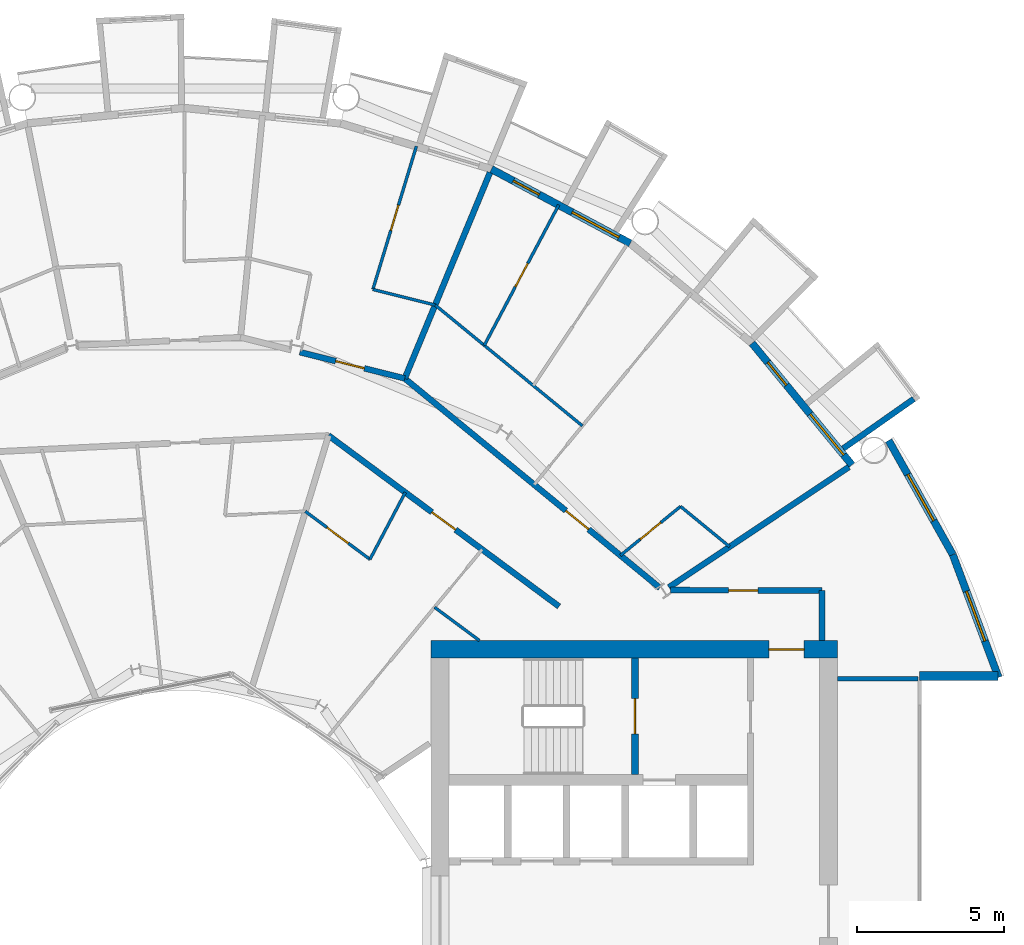
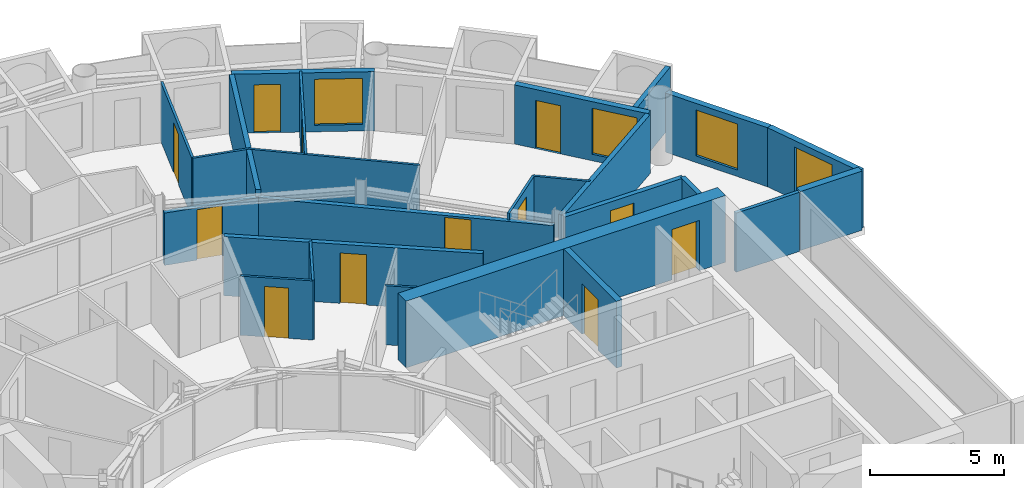
# One storey, part 22 of 27: 25 walls, 12 doors, 4 windows, 16 openings.
"""IFC4 building model written with IfcOpenShell, lengths in metres."""

from ifc_helpers import new_model, si_unit, direction, frame, frame_2d, origin, place, context, subcontext, project, spatial, rectangle, extrude, material, layer, layer_set, type_object, element, fill, save


model = new_model("IFC4")

# Units and contexts
model_context = context("Model", 3, precision=1e-05, world=origin(), true_north=direction((0.0, 1.0)))
body_context = subcontext(model_context, "Body", "Model", "MODEL_VIEW")
ifc_project = project(units=[si_unit("LENGTHUNIT", "METRE"), si_unit("AREAUNIT", "SQUARE_METRE"), si_unit("VOLUMEUNIT", "CUBIC_METRE"), si_unit("PLANEANGLEUNIT", "RADIAN"), si_unit("MASSUNIT", "GRAM", prefix="KILO")], contexts=[model_context])

# Site, building, storey
site_placement = place(None, origin())
site = spatial("IfcSite", under=ifc_project, at=site_placement, CompositionType="ELEMENT")
building_placement = place(site_placement, origin())
building = spatial("IfcBuilding", under=site, at=building_placement, Name="Maasbend Ring Residences", CompositionType="ELEMENT")
storey_placement = place(building_placement, frame((0.0, 0.0, 111.64990234375)))
storey = spatial("IfcBuildingStorey", under=building, at=storey_placement, Name="L31", CompositionType="ELEMENT", Elevation=111.64990234375)

# Wall, opening, door
ifc_material_1 = material(Name="Concrete C60/75", Category="concrete")
ifc_layer_1 = layer(ifc_material_1, 0.25)
ifc_layer_set_1 = layer_set([ifc_layer_1], Name="Concrete C60/75")
wall_type_1 = type_object("IfcWallType", Name="CORE WALL 250 C60/75", PredefinedType="SHEAR", material=ifc_layer_set_1)
wall_1_placement = place(storey_placement, frame((15.324951171875, 4.64990234375, 0.0), z_axis=(0.0, 0.0, 1.0), x_axis=(0.0, 1.0, 0.0)))
wall_1 = element("IfcWall", 1, at=wall_1_placement, inside=storey, type_object=wall_type_1, Name="L31 core E wall STEN", PredefinedType="SHEAR", context=body_context, shape_type="SweptSolid", body=[
    extrude(rectangle(XDim=3.9501953125, YDim=0.25, at=frame_2d((1.97509765625, 0.0))), origin(), (0.0, 0.0, 1.0), 3.050048828125),
])
opening_1_placement = place(wall_1_placement, frame((1.375, 0.0, 0.0)))
opening_1 = element("IfcOpeningElement", 2, at=opening_1_placement, cuts=wall_1, Name="Opening D-E3110", PredefinedType="OPENING", context=body_context, shape_type="SweptSolid", body=[
    extrude(rectangle(XDim=1.199951171875, YDim=2.300048828125, at=frame_2d((0.60009765625, 1.14990234375))), frame((0.0, 0.135009765625, 0.0), z_axis=(0.0, -1.0, 0.0), x_axis=(1.0, 0.0, 0.0)), (0.0, 0.0, 1.0), 0.27001953125),
])
ifc_material_2 = material(Name="Steel, powder coated", Category="steel")
door_type_1 = type_object("IfcDoorType", Name="STAIR DOOR 1200 X 2300 FD60", OperationType="NOTDEFINED", PredefinedType="DOOR", material=ifc_material_2)
door_1_placement = place(opening_1_placement, origin())
door_1 = element("IfcDoor", 3, at=door_1_placement, inside=storey, type_object=door_type_1, Name="Stair door ST-E L31", OperationType="SINGLE_SWING_LEFT", OverallHeight=2.300048828125, OverallWidth=1.199951171875, PredefinedType="DOOR", context=body_context, shape_type="SweptSolid", body=[
    extrude(rectangle(XDim=1.199951171875, YDim=2.300048828125, at=frame_2d((0.60009765625, 1.14990234375))), frame((0.0, 0.02490234375, 0.0), z_axis=(0.0, -1.0, 0.0), x_axis=(1.0, 0.0, 0.0)), (0.0, 0.0, 1.0), 0.050048828125),
])
fill(opening_1, door_1)

ifc_material_3 = material(Name="Concrete C60/75", Category="concrete")
ifc_layer_2 = layer(ifc_material_3, 0.60009765625)
ifc_layer_set_2 = layer_set([ifc_layer_2], Name="Concrete C60/75")
wall_type_2 = type_object("IfcWallType", Name="CORE WALL 600 C60/75", PredefinedType="SHEAR", material=ifc_layer_set_2)
wall_2_placement = place(storey_placement, frame((22.199951171875, 8.89990234375, 0.0), z_axis=(0.0, 0.0, 1.0), x_axis=(-1.0, 0.0, 0.0)))
wall_2 = element("IfcWall", 4, at=wall_2_placement, inside=storey, type_object=wall_type_2, Name="L31 core E wall PN", PredefinedType="SHEAR", context=body_context, shape_type="SweptSolid", body=[
    extrude(rectangle(XDim=13.800048828125, YDim=0.60009765625, at=frame_2d((6.89990234375, 0.0))), origin(), (0.0, 0.0, 1.0), 3.050048828125),
])
opening_2_placement = place(wall_2_placement, frame((1.125, 0.0, 0.0)))
opening_2 = element("IfcOpeningElement", 5, at=opening_2_placement, cuts=wall_2, Name="Opening D-E3114", PredefinedType="OPENING", context=body_context, shape_type="SweptSolid", body=[
    extrude(rectangle(XDim=1.199951171875, YDim=2.300048828125, at=frame_2d((0.60009765625, 1.14990234375))), frame((0.0, 0.31005859375, 0.0), z_axis=(0.0, -1.0, 0.0), x_axis=(1.0, 0.0, 0.0)), (0.0, 0.0, 1.0), 0.6201171875),
])
ifc_material_4 = material(Name="Steel, powder coated", Category="steel")
door_type_2 = type_object("IfcDoorType", Name="CORRIDOR DOOR 1200 X 2300 FD30S", OperationType="NOTDEFINED", PredefinedType="DOOR", material=ifc_material_4)
door_2_placement = place(opening_2_placement, origin())
door_2 = element("IfcDoor", 6, at=door_2_placement, inside=storey, type_object=door_type_2, Name="Corridor door L31", OperationType="SINGLE_SWING_RIGHT", OverallHeight=2.300048828125, OverallWidth=1.199951171875, PredefinedType="DOOR", context=body_context, shape_type="SweptSolid", body=[
    extrude(rectangle(XDim=1.199951171875, YDim=2.300048828125, at=frame_2d((0.60009765625, 1.14990234375))), frame((0.0, 0.02490234375, 0.0), z_axis=(0.0, -1.0, 0.0), x_axis=(1.0, 0.0, 0.0)), (0.0, 0.0, 1.0), 0.050048828125),
])
fill(opening_2, door_2)

# Wall
ifc_material_5 = material(Name="Concrete C30/37", Category="concrete")
ifc_layer_3 = layer(ifc_material_5, 0.199951171875)
ifc_layer_set_3 = layer_set([ifc_layer_3], Name="Concrete C30/37")
wall_type_3 = type_object("IfcWallType", Name="CORRIDOR WALL 200 CONCRETE", PredefinedType="PARTITIONING", material=ifc_layer_set_3)
wall_3_placement = place(storey_placement, frame((21.675048828125, 9.199951171875, 0.0), z_axis=(0.0, 0.0, 1.0), x_axis=(0.0, 1.0, 0.0)))
element("IfcWall", 7, at=wall_3_placement, inside=storey, type_object=wall_type_3, Name="U-L31-w004", PredefinedType="PARTITIONING", context=body_context, shape_type="SweptSolid", body=[
    extrude(rectangle(XDim=1.699951171875, YDim=0.199951171875, at=frame_2d((0.85009765625, 0.0))), origin(), (0.0, 0.0, 1.0), 2.7001953125),
])

# Wall, opening, door
wall_4_placement = place(storey_placement, frame((16.5400390625, 10.9130859375, 0.0), z_axis=(0.0, 0.0, 1.0), x_axis=(0.99999670426, -0.002567385634, 0.0)))
wall_4 = element("IfcWall", 8, at=wall_4_placement, inside=storey, type_object=wall_type_3, Name="U-L31-w089", PredefinedType="PARTITIONING", context=body_context, shape_type="SweptSolid", body=[
    extrude(rectangle(XDim=5.135009765625, YDim=0.199951171875, at=frame_2d((2.5673828125, 0.0))), origin(), (0.0, 0.0, 1.0), 2.7001953125),
])
opening_3_placement = place(wall_4_placement, frame((1.965087890625, 0.0, 0.0)))
opening_3 = element("IfcOpeningElement", 9, at=opening_3_placement, cuts=wall_4, Name="Opening D-3170", PredefinedType="OPENING", context=body_context, shape_type="SweptSolid", body=[
    extrude(rectangle(XDim=1.0, YDim=2.300048828125, at=frame_2d((0.5, 1.14990234375))), frame((0.0, 0.10986328125, 0.0), z_axis=(0.0, -1.0, 0.0), x_axis=(1.0, 0.0, 0.0)), (0.0, 0.0, 1.0), 0.219970703125),
])
ifc_material_6 = material(Name="Timber, painted", Category="wood")
door_type_3 = type_object("IfcDoorType", Name="ROOM DOOR 1000 X 2300", OperationType="NOTDEFINED", PredefinedType="DOOR", material=ifc_material_6)
door_3_placement = place(opening_3_placement, origin())
door_3 = element("IfcDoor", 10, at=door_3_placement, inside=storey, type_object=door_type_3, Name="D-3170", OperationType="SINGLE_SWING_LEFT", OverallHeight=2.300048828125, OverallWidth=1.0, PredefinedType="DOOR", context=body_context, shape_type="SweptSolid", body=[
    extrude(rectangle(XDim=1.0, YDim=2.300048828125, at=frame_2d((0.5, 1.14990234375))), frame((0.0, 0.02490234375, 0.0), z_axis=(0.0, -1.0, 0.0), x_axis=(1.0, 0.0, 0.0)), (0.0, 0.0, 1.0), 0.050048828125),
])
fill(opening_3, door_3)

wall_5_placement = place(storey_placement, frame((4.906005859375, 16.172119140625, 0.0), z_axis=(0.0, 0.0, 1.0), x_axis=(0.803191461888, -0.595720971219, 0.0)))
wall_5 = element("IfcWall", 11, at=wall_5_placement, inside=storey, type_object=wall_type_3, Name="U-L31-w097", PredefinedType="PARTITIONING", context=body_context, shape_type="SweptSolid", body=[
    extrude(rectangle(XDim=9.760009765625, YDim=0.199951171875, at=frame_2d((4.8798828125, 0.0))), origin(), (0.0, 0.0, 1.0), 2.7001953125),
])
opening_4_placement = place(wall_5_placement, frame((4.3798828125, 0.0, 0.0)))
opening_4 = element("IfcOpeningElement", 12, at=opening_4_placement, cuts=wall_5, Name="Opening D-3121", PredefinedType="OPENING", context=body_context, shape_type="SweptSolid", body=[
    extrude(rectangle(XDim=1.0, YDim=2.300048828125, at=frame_2d((0.5, 1.14990234375))), frame((0.0, 0.10986328125, 0.0), z_axis=(0.0, -1.0, 0.0), x_axis=(1.0, 0.0, 0.0)), (0.0, 0.0, 1.0), 0.219970703125),
])
ifc_material_7 = material(Name="Timber, fire-rated, painted", Category="wood")
door_type_4 = type_object("IfcDoorType", Name="FLAT ENTRANCE DOOR 1000 X 2300 FIRE-RATED", OperationType="NOTDEFINED", PredefinedType="DOOR", material=ifc_material_7)
door_4_placement = place(opening_4_placement, origin())
door_4 = element("IfcDoor", 13, at=door_4_placement, inside=storey, type_object=door_type_4, Name="D-3121", OperationType="SINGLE_SWING_LEFT", OverallHeight=2.300048828125, OverallWidth=1.0, PredefinedType="DOOR", context=body_context, shape_type="SweptSolid", body=[
    extrude(rectangle(XDim=1.0, YDim=2.300048828125, at=frame_2d((0.5, 1.14990234375))), frame((0.0, 0.02490234375, 0.0), z_axis=(0.0, -1.0, 0.0), x_axis=(1.0, 0.0, 0.0)), (0.0, 0.0, 1.0), 0.050048828125),
])
fill(opening_4, door_4)

wall_6_placement = place(storey_placement, frame((7.5, 18.10791015625, 0.0), z_axis=(0.0, 0.0, 1.0), x_axis=(0.773049018445, -0.634346289562, 0.0)))
wall_6 = element("IfcWall", 14, at=wall_6_placement, inside=storey, type_object=wall_type_3, Name="U-L31-w099", PredefinedType="PARTITIONING", context=body_context, shape_type="SweptSolid", body=[
    extrude(rectangle(XDim=11.21923828125, YDim=0.199951171875, at=frame_2d((5.609619140625, 0.0))), origin(), (0.0, 0.0, 1.0), 2.39013671875),
])
opening_5_placement = place(wall_6_placement, frame((7.0849609375, 0.0, 0.0)))
opening_5 = element("IfcOpeningElement", 15, at=opening_5_placement, cuts=wall_6, Name="Opening D-3101", PredefinedType="OPENING", context=body_context, shape_type="SweptSolid", body=[
    extrude(rectangle(XDim=1.0, YDim=2.300048828125, at=frame_2d((0.5, 1.14990234375))), frame((0.0, 0.10986328125, 0.0), z_axis=(0.0, -1.0, 0.0), x_axis=(1.0, 0.0, 0.0)), (0.0, 0.0, 1.0), 0.219970703125),
])
door_5_placement = place(opening_5_placement, origin())
door_5 = element("IfcDoor", 16, at=door_5_placement, inside=storey, type_object=door_type_4, Name="D-3101", OperationType="SINGLE_SWING_RIGHT", OverallHeight=2.300048828125, OverallWidth=1.0, PredefinedType="DOOR", context=body_context, shape_type="SweptSolid", body=[
    extrude(rectangle(XDim=1.0, YDim=2.300048828125, at=frame_2d((0.5, 1.14990234375))), frame((0.0, 0.02490234375, 0.0), z_axis=(0.0, -1.0, 0.0), x_axis=(1.0, 0.0, 0.0)), (0.0, 0.0, 1.0), 0.050048828125),
])
fill(opening_5, door_5)

wall_7_placement = place(storey_placement, frame((3.93603515625, 19.0009765625, 0.0), z_axis=(0.0, 0.0, 1.0), x_axis=(0.970025155677, -0.243004521262, 0.0)))
wall_7 = element("IfcWall", 17, at=wall_7_placement, inside=storey, type_object=wall_type_3, Name="U-L31-w104", PredefinedType="PARTITIONING", context=body_context, shape_type="SweptSolid", body=[
    extrude(rectangle(XDim=3.675048828125, YDim=0.199951171875, at=frame_2d((1.83740234375, 0.0))), origin(), (0.0, 0.0, 1.0), 2.39013671875),
])
opening_6_placement = place(wall_7_placement, frame((1.258056640625, 0.0, 0.0)))
opening_6 = element("IfcOpeningElement", 18, at=opening_6_placement, cuts=wall_7, Name="Opening D-3107", PredefinedType="OPENING", context=body_context, shape_type="SweptSolid", body=[
    extrude(rectangle(XDim=1.0, YDim=2.300048828125, at=frame_2d((0.5, 1.14990234375))), frame((0.0, 0.10986328125, 0.0), z_axis=(0.0, -1.0, 0.0), x_axis=(1.0, 0.0, 0.0)), (0.0, 0.0, 1.0), 0.219970703125),
])
door_6_placement = place(opening_6_placement, origin())
door_6 = element("IfcDoor", 19, at=door_6_placement, inside=storey, type_object=door_type_4, Name="D-3107", OperationType="SINGLE_SWING_LEFT", OverallHeight=2.300048828125, OverallWidth=1.0, PredefinedType="DOOR", context=body_context, shape_type="SweptSolid", body=[
    extrude(rectangle(XDim=1.0, YDim=2.300048828125, at=frame_2d((0.5, 1.14990234375))), frame((0.0, 0.02490234375, 0.0), z_axis=(0.0, -1.0, 0.0), x_axis=(1.0, 0.0, 0.0)), (0.0, 0.0, 1.0), 0.050048828125),
])
fill(opening_6, door_6)

# Wall
ifc_material_8 = material(Name="Pale anodised aluminium panel", Category="aluminium")
ifc_layer_4 = layer(ifc_material_8, 0.199951171875)
ifc_layer_set_4 = layer_set([ifc_layer_4], Name="EW-BOX")
wall_type_4 = type_object("IfcWallType", Name="EW-BOX", PredefinedType="SOLIDWALL", material=ifc_layer_set_4)
wall_8_placement = place(storey_placement, frame((22.402099609375, 15.72607421875, -0.02978515625), z_axis=(0.0, 0.0, 1.0), x_axis=(0.818275399393, 0.574826383135, 0.0)))
element("IfcWall", 20, at=wall_8_placement, inside=storey, type_object=wall_type_4, Name="Box side wall N01 left", PredefinedType="SOLIDWALL", context=body_context, shape_type="SweptSolid", body=[
    extrude(rectangle(XDim=2.92919921875, YDim=0.199951171875, at=frame_2d((1.464599609375, 0.0))), origin(), (0.0, 0.0, 1.0), 2.72998046875),
])

# Wall, openings, door, window
ifc_material_9 = material(Name="Aluminium clad insulated panel", Category="aluminium")
ifc_layer_5 = layer(ifc_material_9, 0.25)
ifc_layer_set_5 = layer_set([ifc_layer_5], Name="EW-GL")
wall_type_5 = type_object("IfcWallType", Name="EW-GL", PredefinedType="SOLIDWALL", material=ifc_layer_set_5)
wall_9_placement = place(storey_placement, frame((22.698974609375, 15.1669921875, 0.0), z_axis=(0.0, 0.0, 1.0), x_axis=(-0.634382322723, 0.773019449054, 0.0)))
wall_9 = element("IfcWall", 21, at=wall_9_placement, inside=storey, type_object=wall_type_5, Name="External wall N01", PredefinedType="SOLIDWALL", context=body_context, shape_type="SweptSolid", body=[
    extrude(rectangle(XDim=5.351806640625, YDim=0.25, at=frame_2d((2.67578125, 0.0))), origin(), (0.0, 0.0, 1.0), 2.7001953125),
])
opening_7_placement = place(wall_9_placement, frame((0.441162109375, 0.0, 0.300048828125)))
opening_7 = element("IfcOpeningElement", 22, at=opening_7_placement, cuts=wall_9, Name="Opening W-BX", PredefinedType="OPENING", context=body_context, shape_type="SweptSolid", body=[
    extrude(rectangle(XDim=1.800048828125, YDim=2.10009765625, at=frame_2d((0.89990234375, 1.050048828125))), frame((0.0, 0.135009765625, 0.0), z_axis=(0.0, -1.0, 0.0), x_axis=(1.0, 0.0, 0.0)), (0.0, 0.0, 1.0), 0.27001953125),
])
opening_8_placement = place(wall_9_placement, frame((3.510498046875, 0.0, 0.0)))
opening_8 = element("IfcOpeningElement", 23, at=opening_8_placement, cuts=wall_9, Name="Opening D-LG", PredefinedType="OPENING", context=body_context, shape_type="SweptSolid", body=[
    extrude(rectangle(XDim=1.0, YDim=2.199951171875, at=frame_2d((0.5, 1.10009765625))), frame((0.0, 0.135009765625, 0.0), z_axis=(0.0, -1.0, 0.0), x_axis=(1.0, 0.0, 0.0)), (0.0, 0.0, 1.0), 0.27001953125),
])
ifc_material_10 = material(Name="Aluminium and clear glass", Category="aluminium")
door_type_5 = type_object("IfcDoorType", Name="D-LG", OperationType="SINGLE_SWING_LEFT", PredefinedType="DOOR", material=ifc_material_10)
door_7_placement = place(opening_8_placement, origin())
door_7 = element("IfcDoor", 24, at=door_7_placement, inside=storey, type_object=door_type_5, Name="Loggia door N02", OperationType="SINGLE_SWING_LEFT", OverallHeight=2.199951171875, OverallWidth=1.0, PredefinedType="DOOR", context=body_context, shape_type="SweptSolid", body=[
    extrude(rectangle(XDim=1.0, YDim=2.199951171875, at=frame_2d((0.5, 1.10009765625))), frame((0.0, 0.02490234375, 0.0), z_axis=(0.0, -1.0, 0.0), x_axis=(1.0, 0.0, 0.0)), (0.0, 0.0, 1.0), 0.050048828125),
])
fill(opening_8, door_7)
ifc_material_11 = material(Name="Aluminium and clear glass", Category="aluminium")
window_type = type_object("IfcWindowType", Name="W-BX", PartitioningType="DOUBLE_PANEL_VERTICAL", PredefinedType="WINDOW", material=ifc_material_11)
window_1_placement = place(opening_7_placement, origin())
window_1 = element("IfcWindow", 25, at=window_1_placement, inside=storey, type_object=window_type, Name="Window N01 room to box", OverallHeight=2.10009765625, OverallWidth=1.800048828125, PartitioningType="SINGLE_PANEL", PredefinedType="WINDOW", context=body_context, shape_type="SweptSolid", body=[
    extrude(rectangle(XDim=1.800048828125, YDim=2.10009765625, at=frame_2d((0.89990234375, 1.050048828125))), frame((0.0, 0.030029296875, 0.0), z_axis=(0.0, -1.0, 0.0), x_axis=(1.0, 0.0, 0.0)), (0.0, 0.0, 1.0), 0.06005859375),
])
fill(opening_7, window_1)

wall_10_placement = place(storey_placement, frame((15.1669921875, 22.698974609375, 0.0), z_axis=(0.0, 0.0, 1.0), x_axis=(-0.881915646801, 0.471407246368, 0.0)))
wall_10 = element("IfcWall", 26, at=wall_10_placement, inside=storey, type_object=wall_type_5, Name="External wall N03", PredefinedType="SOLIDWALL", context=body_context, shape_type="SweptSolid", body=[
    extrude(rectangle(XDim=5.35205078125, YDim=0.25, at=frame_2d((2.676025390625, 0.0))), origin(), (0.0, 0.0, 1.0), 2.7001953125),
])
opening_9_placement = place(wall_10_placement, frame((0.441162109375, 0.0, 0.300048828125)))
opening_9 = element("IfcOpeningElement", 27, at=opening_9_placement, cuts=wall_10, Name="Opening W-BX", PredefinedType="OPENING", context=body_context, shape_type="SweptSolid", body=[
    extrude(rectangle(XDim=1.800048828125, YDim=2.10009765625, at=frame_2d((0.89990234375, 1.050048828125))), frame((0.0, 0.135009765625, 0.0), z_axis=(0.0, -1.0, 0.0), x_axis=(1.0, 0.0, 0.0)), (0.0, 0.0, 1.0), 0.27001953125),
])
opening_10_placement = place(wall_10_placement, frame((3.510498046875, 0.0, 0.0)))
opening_10 = element("IfcOpeningElement", 28, at=opening_10_placement, cuts=wall_10, Name="Opening D-LG", PredefinedType="OPENING", context=body_context, shape_type="SweptSolid", body=[
    extrude(rectangle(XDim=1.0, YDim=2.199951171875, at=frame_2d((0.5, 1.10009765625))), frame((0.0, 0.135009765625, 0.0), z_axis=(0.0, -1.0, 0.0), x_axis=(1.0, 0.0, 0.0)), (0.0, 0.0, 1.0), 0.27001953125),
])
door_8_placement = place(opening_10_placement, origin())
door_8 = element("IfcDoor", 29, at=door_8_placement, inside=storey, type_object=door_type_5, Name="Loggia door N06", OperationType="SINGLE_SWING_LEFT", OverallHeight=2.199951171875, OverallWidth=1.0, PredefinedType="DOOR", context=body_context, shape_type="SweptSolid", body=[
    extrude(rectangle(XDim=1.0, YDim=2.199951171875, at=frame_2d((0.5, 1.10009765625))), frame((0.0, 0.02490234375, 0.0), z_axis=(0.0, -1.0, 0.0), x_axis=(1.0, 0.0, 0.0)), (0.0, 0.0, 1.0), 0.050048828125),
])
fill(opening_10, door_8)
window_2_placement = place(opening_9_placement, origin())
window_2 = element("IfcWindow", 30, at=window_2_placement, inside=storey, type_object=window_type, Name="Window N05 room to box", OverallHeight=2.10009765625, OverallWidth=1.800048828125, PartitioningType="SINGLE_PANEL", PredefinedType="WINDOW", context=body_context, shape_type="SweptSolid", body=[
    extrude(rectangle(XDim=1.800048828125, YDim=2.10009765625, at=frame_2d((0.89990234375, 1.050048828125))), frame((0.0, 0.030029296875, 0.0), z_axis=(0.0, -1.0, 0.0), x_axis=(1.0, 0.0, 0.0)), (0.0, 0.0, 1.0), 0.06005859375),
])
fill(opening_9, window_2)

# Wall, opening, window
ifc_material_12 = material(Name="Aluminium clad insulated panel", Category="aluminium")
ifc_layer_6 = layer(ifc_material_12, 0.25)
ifc_layer_set_6 = layer_set([ifc_layer_6], Name="EW-HORN")
wall_type_6 = type_object("IfcWallType", Name="EW-HORN", PredefinedType="SOLIDWALL", material=ifc_layer_set_6)
wall_11_placement = place(storey_placement, frame((27.681884765625, 7.945068359375, 0.0), z_axis=(0.0, 0.0, 1.0), x_axis=(-0.349247811493, 0.937030397675, 0.0)))
wall_11 = element("IfcWall", 31, at=wall_11_placement, inside=storey, type_object=wall_type_6, Name="Horn wall 1.1", PredefinedType="SOLIDWALL", context=body_context, shape_type="SweptSolid", body=[
    extrude(rectangle(XDim=4.4521484375, YDim=0.25, at=frame_2d((2.22607421875, 0.0))), origin(), (0.0, 0.0, 1.0), 2.7001953125),
])
opening_11_placement = place(wall_11_placement, frame((1.32666015625, 0.0, 0.300048828125)))
opening_11 = element("IfcOpeningElement", 32, at=opening_11_placement, cuts=wall_11, Name="Opening W-BX", PredefinedType="OPENING", context=body_context, shape_type="SweptSolid", body=[
    extrude(rectangle(XDim=1.800048828125, YDim=2.10009765625, at=frame_2d((0.89990234375, 1.050048828125))), frame((0.0, 0.135009765625, 0.0), z_axis=(0.0, -1.0, 0.0), x_axis=(1.0, 0.0, 0.0)), (0.0, 0.0, 1.0), 0.27001953125),
])
window_3_placement = place(opening_11_placement, origin())
window_3 = element("IfcWindow", 33, at=window_3_placement, inside=storey, type_object=window_type, Name="Horn window 1.1", OverallHeight=2.10009765625, OverallWidth=1.800048828125, PartitioningType="SINGLE_PANEL", PredefinedType="WINDOW", context=body_context, shape_type="SweptSolid", body=[
    extrude(rectangle(XDim=1.800048828125, YDim=2.10009765625, at=frame_2d((0.89990234375, 1.050048828125))), frame((0.0, 0.030029296875, 0.0), z_axis=(0.0, -1.0, 0.0), x_axis=(1.0, 0.0, 0.0)), (0.0, 0.0, 1.0), 0.06005859375),
])
fill(opening_11, window_3)

wall_12_placement = place(storey_placement, frame((26.126953125, 12.116943359375, 0.0), z_axis=(0.0, 0.0, 1.0), x_axis=(-0.489696356642, 0.871893042919, 0.0)))
wall_12 = element("IfcWall", 34, at=wall_12_placement, inside=storey, type_object=wall_type_6, Name="Horn wall 1.2", PredefinedType="SOLIDWALL", context=body_context, shape_type="SweptSolid", body=[
    extrude(rectangle(XDim=4.45361328125, YDim=0.25, at=frame_2d((2.226806640625, 0.0))), origin(), (0.0, 0.0, 1.0), 2.7001953125),
])
opening_12_placement = place(wall_12_placement, frame((1.32666015625, 0.0, 0.300048828125)))
opening_12 = element("IfcOpeningElement", 35, at=opening_12_placement, cuts=wall_12, Name="Opening W-BX", PredefinedType="OPENING", context=body_context, shape_type="SweptSolid", body=[
    extrude(rectangle(XDim=1.800048828125, YDim=2.10009765625, at=frame_2d((0.89990234375, 1.050048828125))), frame((0.0, 0.135009765625, 0.0), z_axis=(0.0, -1.0, 0.0), x_axis=(1.0, 0.0, 0.0)), (0.0, 0.0, 1.0), 0.27001953125),
])
window_4_placement = place(opening_12_placement, origin())
window_4 = element("IfcWindow", 36, at=window_4_placement, inside=storey, type_object=window_type, Name="Horn window 1.2", OverallHeight=2.10009765625, OverallWidth=1.800048828125, PartitioningType="SINGLE_PANEL", PredefinedType="WINDOW", context=body_context, shape_type="SweptSolid", body=[
    extrude(rectangle(XDim=1.800048828125, YDim=2.10009765625, at=frame_2d((0.89990234375, 1.050048828125))), frame((0.0, 0.030029296875, 0.0), z_axis=(0.0, -1.0, 0.0), x_axis=(1.0, 0.0, 0.0)), (0.0, 0.0, 1.0), 0.06005859375),
])
fill(opening_12, window_4)

# Walls
ifc_material_13 = material(Name="Aluminium clad insulated panel", Category="aluminium")
ifc_layer_7 = layer(ifc_material_13, 0.300048828125)
ifc_layer_set_7 = layer_set([ifc_layer_7], Name="EW-RET")
wall_type_7 = type_object("IfcWallType", Name="EW-RET", PredefinedType="SOLIDWALL", material=ifc_layer_set_7)
wall_13_placement = place(storey_placement, frame((25.0, 8.0, 0.0), z_axis=(0.0, 0.0, 1.0), x_axis=(1.0, 0.0, 0.0)))
element("IfcWall", 37, at=wall_13_placement, inside=storey, type_object=wall_type_7, Name="Notch return wall east north", PredefinedType="SOLIDWALL", context=body_context, shape_type="SweptSolid", body=[
    extrude(rectangle(XDim=2.6669921875, YDim=0.300048828125, at=frame_2d((1.33349609375, 0.0))), origin(), (0.0, 0.0, 1.0), 2.7001953125),
])
ifc_material_14 = material(Name="Gypsum board on steel studs", Category="steel")
ifc_layer_8 = layer(ifc_material_14, 0.10009765625)
ifc_layer_set_8 = layer_set([ifc_layer_8], Name="PARTITION 100 GYPSUM")
wall_type_8 = type_object("IfcWallType", Name="PARTITION 100 GYPSUM", PredefinedType="PARTITIONING", material=ifc_layer_set_8)
wall_14_placement = place(storey_placement, frame((6.318115234375, 11.9599609375, 0.0), z_axis=(0.0, 0.0, 1.0), x_axis=(0.467001992543, 0.884256263173, 0.0)))
element("IfcWall", 38, at=wall_14_placement, inside=storey, type_object=wall_type_8, Name="U-L31-w072", PredefinedType="PARTITIONING", context=body_context, shape_type="SweptSolid", body=[
    extrude(rectangle(XDim=2.571533203125, YDim=0.10009765625, at=frame_2d((1.28564453125, 0.0))), origin(), (0.0, 0.0, 1.0), 2.7001953125),
])

# Wall, opening, door
wall_15_placement = place(storey_placement, frame((6.41796875, 21.133056640625, 0.0), z_axis=(0.0, 0.0, 1.0), x_axis=(0.290651827018, 0.956828885147, 0.0)))
wall_15 = element("IfcWall", 39, at=wall_15_placement, inside=storey, type_object=wall_type_8, Name="U-L31-w073", PredefinedType="PARTITIONING", context=body_context, shape_type="SweptSolid", body=[
    extrude(rectangle(XDim=5.088623046875, YDim=0.10009765625, at=frame_2d((2.54443359375, 0.0))), origin(), (0.0, 0.0, 1.0), 2.7001953125),
])
opening_13_placement = place(wall_15_placement, frame((2.093994140625, 0.0, 0.0)))
opening_13 = element("IfcOpeningElement", 40, at=opening_13_placement, cuts=wall_15, Name="Opening D-3109", PredefinedType="OPENING", context=body_context, shape_type="SweptSolid", body=[
    extrude(rectangle(XDim=0.89990234375, YDim=2.300048828125, at=frame_2d((0.449951171875, 1.14990234375))), frame((0.0, 0.06005859375, 0.0), z_axis=(0.0, -1.0, 0.0), x_axis=(1.0, 0.0, 0.0)), (0.0, 0.0, 1.0), 0.1201171875),
])
ifc_material_15 = material(Name="Timber, painted", Category="wood")
door_type_6 = type_object("IfcDoorType", Name="INTERNAL DOOR 900 X 2300", OperationType="NOTDEFINED", PredefinedType="DOOR", material=ifc_material_15)
door_9_placement = place(opening_13_placement, origin())
door_9 = element("IfcDoor", 41, at=door_9_placement, inside=storey, type_object=door_type_6, Name="D-3109", OperationType="SINGLE_SWING_LEFT", OverallHeight=2.300048828125, OverallWidth=0.89990234375, PredefinedType="DOOR", context=body_context, shape_type="SweptSolid", body=[
    extrude(rectangle(XDim=0.89990234375, YDim=2.300048828125, at=frame_2d((0.449951171875, 1.14990234375))), frame((0.0, 0.02490234375, 0.0), z_axis=(0.0, -1.0, 0.0), x_axis=(1.0, 0.0, 0.0)), (0.0, 0.0, 1.0), 0.050048828125),
])
fill(opening_13, door_9)

wall_16_placement = place(storey_placement, frame((10.2041015625, 19.23291015625, 0.0), z_axis=(0.0, 0.0, 1.0), x_axis=(0.468610030042, 0.883405139075, 0.0)))
wall_16 = element("IfcWall", 42, at=wall_16_placement, inside=storey, type_object=wall_type_8, Name="U-L31-w076", PredefinedType="PARTITIONING", context=body_context, shape_type="SweptSolid", body=[
    extrude(rectangle(XDim=5.403076171875, YDim=0.10009765625, at=frame_2d((2.70166015625, 0.0))), origin(), (0.0, 0.0, 1.0), 2.7001953125),
])
opening_14_placement = place(wall_16_placement, frame((2.2509765625, 0.0, 0.0)))
opening_14 = element("IfcOpeningElement", 43, at=opening_14_placement, cuts=wall_16, Name="Opening D-3106", PredefinedType="OPENING", context=body_context, shape_type="SweptSolid", body=[
    extrude(rectangle(XDim=0.89990234375, YDim=2.300048828125, at=frame_2d((0.449951171875, 1.14990234375))), frame((0.0, 0.06005859375, 0.0), z_axis=(0.0, -1.0, 0.0), x_axis=(1.0, 0.0, 0.0)), (0.0, 0.0, 1.0), 0.1201171875),
])
door_10_placement = place(opening_14_placement, origin())
door_10 = element("IfcDoor", 44, at=door_10_placement, inside=storey, type_object=door_type_6, Name="D-3106", OperationType="SINGLE_SWING_LEFT", OverallHeight=2.300048828125, OverallWidth=0.89990234375, PredefinedType="DOOR", context=body_context, shape_type="SweptSolid", body=[
    extrude(rectangle(XDim=0.89990234375, YDim=2.300048828125, at=frame_2d((0.449951171875, 1.14990234375))), frame((0.0, 0.02490234375, 0.0), z_axis=(0.0, -1.0, 0.0), x_axis=(1.0, 0.0, 0.0)), (0.0, 0.0, 1.0), 0.050048828125),
])
fill(opening_14, door_10)

wall_17_placement = place(storey_placement, frame((14.8310546875, 12.092041015625, 0.0), z_axis=(0.0, 0.0, 1.0), x_axis=(0.774979608522, 0.631986239072, 0.0)))
wall_17 = element("IfcWall", 45, at=wall_17_placement, inside=storey, type_object=wall_type_8, Name="U-L31-w082", PredefinedType="PARTITIONING", context=body_context, shape_type="SweptSolid", body=[
    extrude(rectangle(XDim=2.63623046875, YDim=0.10009765625, at=frame_2d((1.318115234375, 0.0))), origin(), (0.0, 0.0, 1.0), 2.7001953125),
])
opening_15_placement = place(wall_17_placement, frame((0.867919921875, 0.0, 0.0)))
opening_15 = element("IfcOpeningElement", 46, at=opening_15_placement, cuts=wall_17, Name="Opening D-3102", PredefinedType="OPENING", context=body_context, shape_type="SweptSolid", body=[
    extrude(rectangle(XDim=0.89990234375, YDim=2.300048828125, at=frame_2d((0.449951171875, 1.14990234375))), frame((0.0, 0.06005859375, 0.0), z_axis=(0.0, -1.0, 0.0), x_axis=(1.0, 0.0, 0.0)), (0.0, 0.0, 1.0), 0.1201171875),
])
door_11_placement = place(opening_15_placement, origin())
door_11 = element("IfcDoor", 47, at=door_11_placement, inside=storey, type_object=door_type_6, Name="D-3102", OperationType="SINGLE_SWING_RIGHT", OverallHeight=2.300048828125, OverallWidth=0.89990234375, PredefinedType="DOOR", context=body_context, shape_type="SweptSolid", body=[
    extrude(rectangle(XDim=0.89990234375, YDim=2.300048828125, at=frame_2d((0.449951171875, 1.14990234375))), frame((0.0, 0.02490234375, 0.0), z_axis=(0.0, -1.0, 0.0), x_axis=(1.0, 0.0, 0.0)), (0.0, 0.0, 1.0), 0.050048828125),
])
fill(opening_15, door_11)

wall_18_placement = place(storey_placement, frame((4.1220703125, 13.589111328125, 0.0), z_axis=(0.0, 0.0, 1.0), x_axis=(0.803128348509, -0.595806055542, 0.0)))
wall_18 = element("IfcWall", 48, at=wall_18_placement, inside=storey, type_object=wall_type_8, Name="U-L31-w092", PredefinedType="PARTITIONING", context=body_context, shape_type="SweptSolid", body=[
    extrude(rectangle(XDim=2.734375, YDim=0.10009765625, at=frame_2d((1.3671875, 0.0))), origin(), (0.0, 0.0, 1.0), 2.7001953125),
])
opening_16_placement = place(wall_18_placement, frame((0.9169921875, 0.0, 0.0)))
opening_16 = element("IfcOpeningElement", 49, at=opening_16_placement, cuts=wall_18, Name="Opening D-3122", PredefinedType="OPENING", context=body_context, shape_type="SweptSolid", body=[
    extrude(rectangle(XDim=0.89990234375, YDim=2.300048828125, at=frame_2d((0.449951171875, 1.14990234375))), frame((0.0, 0.06005859375, 0.0), z_axis=(0.0, -1.0, 0.0), x_axis=(1.0, 0.0, 0.0)), (0.0, 0.0, 1.0), 0.1201171875),
])
door_12_placement = place(opening_16_placement, origin())
door_12 = element("IfcDoor", 50, at=door_12_placement, inside=storey, type_object=door_type_6, Name="D-3122", OperationType="SINGLE_SWING_LEFT", OverallHeight=2.300048828125, OverallWidth=0.89990234375, PredefinedType="DOOR", context=body_context, shape_type="SweptSolid", body=[
    extrude(rectangle(XDim=0.89990234375, YDim=2.300048828125, at=frame_2d((0.449951171875, 1.14990234375))), frame((0.0, 0.02490234375, 0.0), z_axis=(0.0, -1.0, 0.0), x_axis=(1.0, 0.0, 0.0)), (0.0, 0.0, 1.0), 0.050048828125),
])
fill(opening_16, door_12)

# Walls
wall_19_placement = place(storey_placement, frame((8.512939453125, 10.33203125, 0.0), z_axis=(0.0, 0.0, 1.0), x_axis=(0.803149591038, -0.595777420196, 0.0)))
element("IfcWall", 51, at=wall_19_placement, inside=storey, type_object=wall_type_8, Name="U-L31-w093", PredefinedType="PARTITIONING", context=body_context, shape_type="SweptSolid", body=[
    extrude(rectangle(XDim=1.900146484375, YDim=0.10009765625, at=frame_2d((0.9501953125, 0.0))), origin(), (0.0, 0.0, 1.0), 2.7001953125),
])
wall_20_placement = place(storey_placement, frame((8.533935546875, 20.60302734375, 0.0), z_axis=(0.0, 0.0, 1.0), x_axis=(0.773000340237, -0.634405606843, 0.0)))
element("IfcWall", 52, at=wall_20_placement, inside=storey, type_object=wall_type_8, Name="U-L31-w105", PredefinedType="PARTITIONING", context=body_context, shape_type="SweptSolid", body=[
    extrude(rectangle(XDim=6.4736328125, YDim=0.10009765625, at=frame_2d((3.23681640625, 0.0))), origin(), (0.0, 0.0, 1.0), 2.7001953125),
])
wall_21_placement = place(storey_placement, frame((16.8740234375, 13.758056640625, 0.0), z_axis=(0.0, 0.0, 1.0), x_axis=(0.772948171844, -0.634469166818, 0.0)))
element("IfcWall", 53, at=wall_21_placement, inside=storey, type_object=wall_type_8, Name="U-L31-w106", PredefinedType="PARTITIONING", context=body_context, shape_type="SweptSolid", body=[
    extrude(rectangle(XDim=2.157958984375, YDim=0.10009765625, at=frame_2d((1.0791015625, 0.0))), origin(), (0.0, 0.0, 1.0), 2.7001953125),
])
wall_22_placement = place(storey_placement, frame((6.41796875, 21.133056640625, 0.0), z_axis=(0.0, 0.0, 1.0), x_axis=(0.97003047456, -0.242983288366, 0.0)))
element("IfcWall", 54, at=wall_22_placement, inside=storey, type_object=wall_type_8, Name="U-L31-w116", PredefinedType="PARTITIONING", context=body_context, shape_type="SweptSolid", body=[
    extrude(rectangle(XDim=2.181396484375, YDim=0.10009765625, at=frame_2d((1.0908203125, 0.0))), origin(), (0.0, 0.0, 1.0), 2.7001953125),
])
ifc_material_16 = material(Name="Gypsum board on steel studs", Category="steel")
ifc_layer_9 = layer(ifc_material_16, 0.14990234375)
ifc_layer_set_9 = layer_set([ifc_layer_9], Name="PARTITION 150 EI 60")
wall_type_9 = type_object("IfcWallType", Name="PARTITION 150 EI 60", PredefinedType="PARTITIONING", material=ifc_layer_set_9)
wall_23_placement = place(storey_placement, frame((22.199951171875, 7.89990234375, 0.0), z_axis=(0.0, 0.0, 1.0), x_axis=(1.0, 0.0, 0.0)))
element("IfcWall", 55, at=wall_23_placement, inside=storey, type_object=wall_type_9, Name="L31 core E wall CITN", PredefinedType="PARTITIONING", context=body_context, shape_type="SweptSolid", body=[
    extrude(rectangle(XDim=2.739990234375, YDim=0.14990234375, at=frame_2d((1.3701171875, 0.0))), origin(), (0.0, 0.0, 1.0), 2.7001953125),
])
ifc_material_17 = material(Name="Concrete C30/37", Category="concrete")
ifc_layer_10 = layer(ifc_material_17, 0.199951171875)
ifc_layer_set_10 = layer_set([ifc_layer_10], Name="Concrete C30/37")
wall_type_10 = type_object("IfcWallType", Name="PARTY WALL 200 CONCRETE", PredefinedType="PARTITIONING", material=ifc_layer_set_10)
wall_24_placement = place(storey_placement, frame((7.5009765625, 18.10791015625, 0.0), z_axis=(0.0, 0.0, 1.0), x_axis=(0.382490346157, 0.923959487801, 0.0)))
element("IfcWall", 56, at=wall_24_placement, inside=storey, type_object=wall_type_10, Name="U-L31-w075", PredefinedType="PARTITIONING", context=body_context, shape_type="SweptSolid", body=[
    extrude(rectangle(XDim=7.573974609375, YDim=0.199951171875, at=frame_2d((3.787109375, 0.0))), origin(), (0.0, 0.0, 1.0), 2.7001953125),
])
wall_25_placement = place(storey_placement, frame((16.47705078125, 11.009033203125, 0.0), z_axis=(0.0, 0.0, 1.0), x_axis=(0.831406593008, 0.555664536482, 0.0)))
element("IfcWall", 57, at=wall_25_placement, inside=storey, type_object=wall_type_10, Name="U-L31-w084", PredefinedType="PARTITIONING", context=body_context, shape_type="SweptSolid", body=[
    extrude(rectangle(XDim=7.3583984375, YDim=0.199951171875, at=frame_2d((3.67919921875, 0.0))), origin(), (0.0, 0.0, 1.0), 2.7001953125),
])

save(model, "model.ifc")
